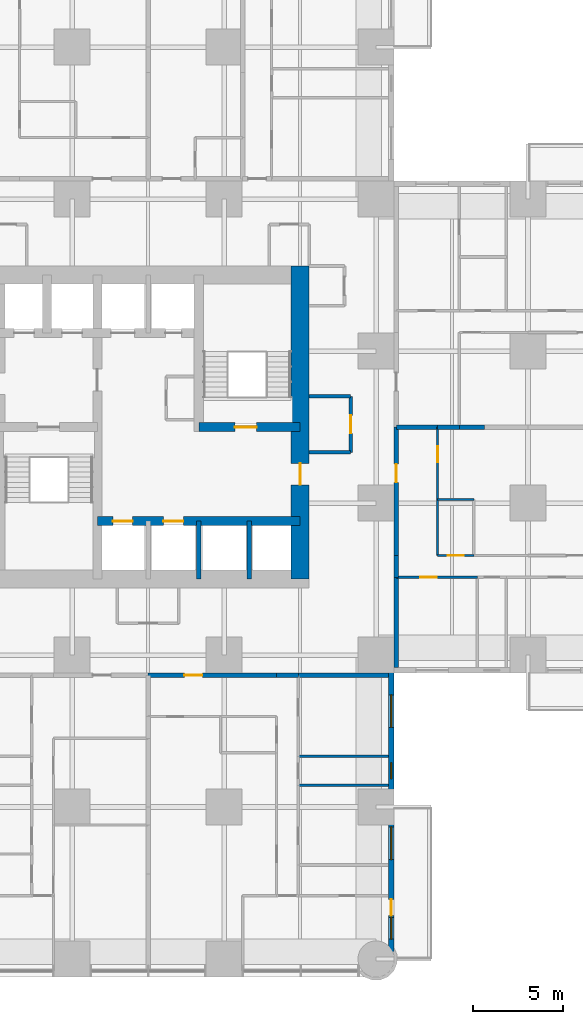
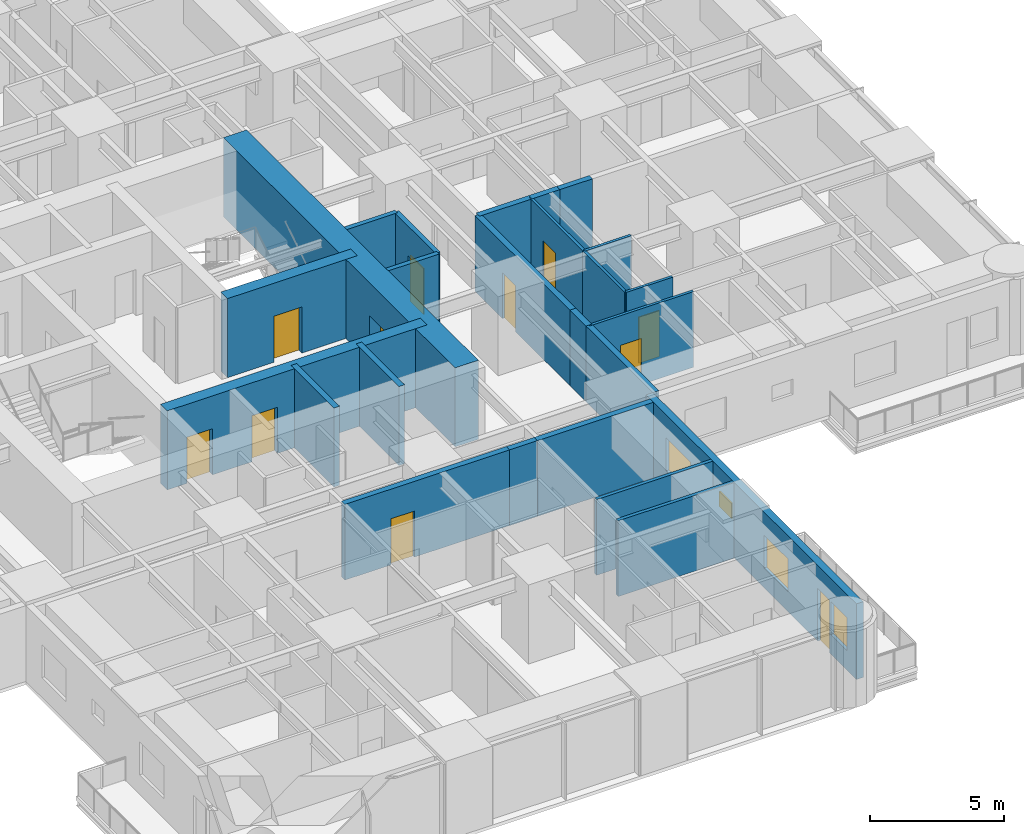
# One storey, part 10 of 17: 25 walls, 11 doors, 4 windows, 15 openings.
"""IFC4 building model written with IfcOpenShell, lengths in metres."""

from ifc_helpers import new_model, si_unit, direction, frame, frame_2d, origin, place, context, subcontext, project, spatial, rectangle, extrude, material, layer, layer_set, type_object, element, fill, save


model = new_model("IFC4")

# Units and contexts
model_context = context("Model", 3, precision=1e-05, world=origin(), true_north=direction((0.0, 1.0)))
body_context = subcontext(model_context, "Body", "Model", "MODEL_VIEW")
ifc_project = project(units=[si_unit("LENGTHUNIT", "METRE"), si_unit("AREAUNIT", "SQUARE_METRE"), si_unit("VOLUMEUNIT", "CUBIC_METRE"), si_unit("PLANEANGLEUNIT", "RADIAN"), si_unit("MASSUNIT", "GRAM", prefix="KILO")], contexts=[model_context])

# Site, building, storey
site_placement = place(None, origin())
site = spatial("IfcSite", under=ifc_project, at=site_placement, CompositionType="ELEMENT")
building_placement = place(site_placement, origin())
building = spatial("IfcBuilding", under=site, at=building_placement, Name="Torre Alcanfor", CompositionType="ELEMENT")
storey_placement = place(building_placement, frame((0.0, 0.0, 95.699951171875)))
storey = spatial("IfcBuildingStorey", under=building, at=storey_placement, Name="L24", CompositionType="ELEMENT", Elevation=95.699951171875)

# Wall, opening, door
ifc_material_1 = material(Name="Concrete block masonry, hollow blocks NMX-C-404 9 MPa", Category="masonry")
ifc_layer_1 = layer(ifc_material_1, 0.25)
ifc_layer_set_1 = layer_set([ifc_layer_1], Name="Apartment entrance wall 250 EI 60")
wall_type_1 = type_object("IfcWallType", Name="Apartment entrance wall 250 EI 60", PredefinedType="PARTITIONING", material=ifc_layer_set_1)
wall_1_placement = place(storey_placement, frame((43.125, 29.39990234375, 0.0), z_axis=(0.0, 0.0, 1.0), x_axis=(0.0, -1.0, 0.0)))
wall_1 = element("IfcWall", 1, at=wall_1_placement, inside=storey, type_object=wall_type_1, Name="Partition L24-CORR / L24-E2-ZAG", PredefinedType="PARTITIONING", context=body_context, shape_type="SweptSolid", body=[
    extrude(rectangle(XDim=7.099853515625, YDim=0.25, at=frame_2d((3.5498046875, 0.0))), origin(), (0.0, 0.0, 1.0), 3.449951171875),
])
opening_1_placement = place(wall_1_placement, frame((2.050048828125, 0.0, 0.0)))
opening_1 = element("IfcOpeningElement", 2, at=opening_1_placement, cuts=wall_1, Name="Opening D-A1", PredefinedType="OPENING", context=body_context, shape_type="SweptSolid", body=[
    extrude(rectangle(XDim=1.0, YDim=2.10009765625, at=frame_2d((0.5, 1.050048828125))), frame((0.0, 0.135009765625, 0.0), z_axis=(0.0, -1.0, 0.0), x_axis=(1.0, 0.0, 0.0)), (0.0, 0.0, 1.0), 0.27001953125),
])
ifc_material_2 = material(Name="Galvanised steel sheet ASTM A653", Category="steel")
door_type_1 = type_object("IfcDoorType", Name="Apartment entrance door FD60 1000x2100", OperationType="SINGLE_SWING_LEFT", PredefinedType="DOOR", material=ifc_material_2)
door_1_placement = place(opening_1_placement, origin())
door_1 = element("IfcDoor", 3, at=door_1_placement, inside=storey, type_object=door_type_1, Name="Apartment entrance L24-E2", OperationType="SINGLE_SWING_LEFT", OverallHeight=2.10009765625, OverallWidth=1.0, PredefinedType="DOOR", context=body_context, shape_type="SweptSolid", body=[
    extrude(rectangle(XDim=1.0, YDim=2.10009765625, at=frame_2d((0.5, 1.050048828125))), frame((0.0, 0.02490234375, 0.0), z_axis=(0.0, -1.0, 0.0), x_axis=(1.0, 0.0, 0.0)), (0.0, 0.0, 1.0), 0.050048828125),
])
fill(opening_1, door_1)

# Walls
wall_2_placement = place(storey_placement, frame((43.125, 22.300048828125, 0.0), z_axis=(0.0, 0.0, 1.0), x_axis=(0.0, -1.0, 0.0)))
element("IfcWall", 4, at=wall_2_placement, inside=storey, type_object=wall_type_1, Name="Partition L24-CORR / L24-E2-HALL", PredefinedType="PARTITIONING", context=body_context, shape_type="SweptSolid", body=[
    extrude(rectangle(XDim=1.199951171875, YDim=0.25, at=frame_2d((0.60009765625, 0.0))), origin(), (0.0, 0.0, 1.0), 3.449951171875),
])
wall_3_placement = place(storey_placement, frame((43.125, 21.10009765625, 0.0), z_axis=(0.0, 0.0, 1.0), x_axis=(0.0, -1.0, 0.0)))
element("IfcWall", 5, at=wall_3_placement, inside=storey, type_object=wall_type_1, Name="Partition L24-CORR / L24-E2-BED3", PredefinedType="PARTITIONING", context=body_context, shape_type="SweptSolid", body=[
    extrude(rectangle(XDim=5.0, YDim=0.25, at=frame_2d((2.5, 0.0))), origin(), (0.0, 0.0, 1.0), 3.449951171875),
])

# Wall, opening, door
wall_4_placement = place(storey_placement, frame((36.5, 15.675048828125, 0.0), z_axis=(0.0, 0.0, 1.0), x_axis=(-1.0, 0.0, 0.0)))
wall_4 = element("IfcWall", 6, at=wall_4_placement, inside=storey, type_object=wall_type_1, Name="Partition L24-CORR / L24-S1-ZAG", PredefinedType="PARTITIONING", context=body_context, shape_type="SweptSolid", body=[
    extrude(rectangle(XDim=7.10009765625, YDim=0.25, at=frame_2d((3.550048828125, 0.0))), origin(), (0.0, 0.0, 1.0), 3.449951171875),
])
opening_2_placement = place(wall_4_placement, frame((4.10009765625, 0.0, 0.0)))
opening_2 = element("IfcOpeningElement", 7, at=opening_2_placement, cuts=wall_4, Name="Opening D-A1", PredefinedType="OPENING", context=body_context, shape_type="SweptSolid", body=[
    extrude(rectangle(XDim=1.0, YDim=2.10009765625, at=frame_2d((0.5, 1.050048828125))), frame((0.0, 0.135009765625, 0.0), z_axis=(0.0, -1.0, 0.0), x_axis=(1.0, 0.0, 0.0)), (0.0, 0.0, 1.0), 0.27001953125),
])
door_2_placement = place(opening_2_placement, origin())
door_2 = element("IfcDoor", 8, at=door_2_placement, inside=storey, type_object=door_type_1, Name="Apartment entrance L24-S1", OperationType="SINGLE_SWING_RIGHT", OverallHeight=2.10009765625, OverallWidth=1.0, PredefinedType="DOOR", context=body_context, shape_type="SweptSolid", body=[
    extrude(rectangle(XDim=1.0, YDim=2.10009765625, at=frame_2d((0.5, 1.050048828125))), frame((0.0, 0.02490234375, 0.0), z_axis=(0.0, -1.0, 0.0), x_axis=(1.0, 0.0, 0.0)), (0.0, 0.0, 1.0), 0.050048828125),
])
fill(opening_2, door_2)

# Walls
wall_5_placement = place(storey_placement, frame((37.699951171875, 15.675048828125, 0.0), z_axis=(0.0, 0.0, 1.0), x_axis=(-1.0, 0.0, 0.0)))
element("IfcWall", 9, at=wall_5_placement, inside=storey, type_object=wall_type_1, Name="Partition L24-CORR / L24-S1-HALL", PredefinedType="PARTITIONING", context=body_context, shape_type="SweptSolid", body=[
    extrude(rectangle(XDim=1.199951171875, YDim=0.25, at=frame_2d((0.60009765625, 0.0))), origin(), (0.0, 0.0, 1.0), 3.449951171875),
])
wall_6_placement = place(storey_placement, frame((42.699951171875, 15.675048828125, 0.0), z_axis=(0.0, 0.0, 1.0), x_axis=(-1.0, 0.0, 0.0)))
element("IfcWall", 10, at=wall_6_placement, inside=storey, type_object=wall_type_1, Name="Partition L24-CORR / L24-S1-BED3", PredefinedType="PARTITIONING", context=body_context, shape_type="SweptSolid", body=[
    extrude(rectangle(XDim=5.0, YDim=0.25, at=frame_2d((2.5, 0.0))), origin(), (0.0, 0.0, 1.0), 3.449951171875),
])

# Wall, opening, door
ifc_material_3 = material(Name="Gypsum board on steel studs", Category="steel")
ifc_layer_2 = layer(ifc_material_3, 0.1201171875)
ifc_layer_set_2 = layer_set([ifc_layer_2], Name="Apartment partition 120")
wall_type_2 = type_object("IfcWallType", Name="Apartment partition 120", PredefinedType="PARTITIONING", material=ifc_layer_set_2)
wall_7_placement = place(storey_placement, frame((45.39990234375, 29.39990234375, 0.0), z_axis=(0.0, 0.0, 1.0), x_axis=(0.0, -1.0, 0.0)))
wall_7 = element("IfcWall", 11, at=wall_7_placement, inside=storey, type_object=wall_type_2, Name="Partition L24-E2-ZAG / L24-E2-KITCHEN", PredefinedType="PARTITIONING", context=body_context, shape_type="SweptSolid", body=[
    extrude(rectangle(XDim=4.0, YDim=0.1201171875, at=frame_2d((2.0, 0.0))), origin(), (0.0, 0.0, 1.0), 3.449951171875),
])
opening_3_placement = place(wall_7_placement, frame((1.050048828125, 0.0, 0.0)))
opening_3 = element("IfcOpeningElement", 12, at=opening_3_placement, cuts=wall_7, Name="Opening D-R1", PredefinedType="OPENING", context=body_context, shape_type="SweptSolid", body=[
    extrude(rectangle(XDim=0.89990234375, YDim=2.10009765625, at=frame_2d((0.449951171875, 1.050048828125))), frame((0.0, 0.070068359375, 0.0), z_axis=(0.0, -1.0, 0.0), x_axis=(1.0, 0.0, 0.0)), (0.0, 0.0, 1.0), 0.14013671875),
])
ifc_material_4 = material(Name="Timber", Category="wood")
door_type_2 = type_object("IfcDoorType", Name="Internal door 900x2100", OperationType="SINGLE_SWING_LEFT", PredefinedType="DOOR", material=ifc_material_4)
door_3_placement = place(opening_3_placement, origin())
door_3 = element("IfcDoor", 13, at=door_3_placement, inside=storey, type_object=door_type_2, Name="Door L24-E2 kitchen", OperationType="SINGLE_SWING_LEFT", OverallHeight=2.10009765625, OverallWidth=0.89990234375, PredefinedType="DOOR", context=body_context, shape_type="SweptSolid", body=[
    extrude(rectangle(XDim=0.89990234375, YDim=2.10009765625, at=frame_2d((0.449951171875, 1.050048828125))), frame((0.0, 0.02490234375, 0.0), z_axis=(0.0, -1.0, 0.0), x_axis=(1.0, 0.0, 0.0)), (0.0, 0.0, 1.0), 0.050048828125),
])
fill(opening_3, door_3)

# Walls
wall_8_placement = place(storey_placement, frame((45.39990234375, 25.39990234375, 0.0), z_axis=(0.0, 0.0, 1.0), x_axis=(0.0, -1.0, 0.0)))
element("IfcWall", 14, at=wall_8_placement, inside=storey, type_object=wall_type_2, Name="Partition L24-E2-ZAG / L24-E2-UTIL", PredefinedType="PARTITIONING", context=body_context, shape_type="SweptSolid", body=[
    extrude(rectangle(XDim=3.099853515625, YDim=0.1201171875, at=frame_2d((1.5498046875, 0.0))), origin(), (0.0, 0.0, 1.0), 3.449951171875),
])
wall_9_placement = place(storey_placement, frame((47.39990234375, 25.39990234375, 0.0), z_axis=(0.0, 0.0, 1.0), x_axis=(-1.0, 0.0, 0.0)))
element("IfcWall", 15, at=wall_9_placement, inside=storey, type_object=wall_type_2, Name="Partition L24-E2-KITCHEN / L24-E2-UTIL", PredefinedType="PARTITIONING", context=body_context, shape_type="SweptSolid", body=[
    extrude(rectangle(XDim=2.0, YDim=0.1201171875, at=frame_2d((1.0, 0.0))), origin(), (0.0, 0.0, 1.0), 3.449951171875),
])

# Wall, opening, door
wall_10_placement = place(storey_placement, frame((47.39990234375, 22.300048828125, 0.0), z_axis=(0.0, 0.0, 1.0), x_axis=(-1.0, 0.0, 0.0)))
wall_10 = element("IfcWall", 16, at=wall_10_placement, inside=storey, type_object=wall_type_2, Name="Partition L24-E2-UTIL / L24-E2-HALL", PredefinedType="PARTITIONING", context=body_context, shape_type="SweptSolid", body=[
    extrude(rectangle(XDim=2.0, YDim=0.1201171875, at=frame_2d((1.0, 0.0))), origin(), (0.0, 0.0, 1.0), 3.449951171875),
])
opening_4_placement = place(wall_10_placement, frame((0.550048828125, 0.0, 0.0)))
opening_4 = element("IfcOpeningElement", 17, at=opening_4_placement, cuts=wall_10, Name="Opening D-R1", PredefinedType="OPENING", context=body_context, shape_type="SweptSolid", body=[
    extrude(rectangle(XDim=0.89990234375, YDim=2.10009765625, at=frame_2d((0.449951171875, 1.050048828125))), frame((0.0, 0.070068359375, 0.0), z_axis=(0.0, -1.0, 0.0), x_axis=(1.0, 0.0, 0.0)), (0.0, 0.0, 1.0), 0.14013671875),
])
door_4_placement = place(opening_4_placement, frame((0.89990234375, 0.0, 0.0), z_axis=(0.0, 0.0, 1.0), x_axis=(-1.0, 0.0, 0.0)))
door_4 = element("IfcDoor", 18, at=door_4_placement, inside=storey, type_object=door_type_2, Name="Door L24-E2 util", OperationType="SINGLE_SWING_RIGHT", OverallHeight=2.10009765625, OverallWidth=0.89990234375, PredefinedType="DOOR", context=body_context, shape_type="SweptSolid", body=[
    extrude(rectangle(XDim=0.89990234375, YDim=2.10009765625, at=frame_2d((0.449951171875, 1.050048828125))), frame((0.0, 0.025146484375, 0.0), z_axis=(0.0, -1.0, 0.0), x_axis=(1.0, 0.0, 0.0)), (0.0, 0.0, 1.0), 0.050048828125),
])
fill(opening_4, door_4)

wall_11_placement = place(storey_placement, frame((47.60009765625, 21.10009765625, 0.0), z_axis=(0.0, 0.0, 1.0), x_axis=(-1.0, 0.0, 0.0)))
wall_11 = element("IfcWall", 19, at=wall_11_placement, inside=storey, type_object=wall_type_2, Name="Partition L24-E2-HALL / L24-E2-BED3", PredefinedType="PARTITIONING", context=body_context, shape_type="SweptSolid", body=[
    extrude(rectangle(XDim=4.47509765625, YDim=0.1201171875, at=frame_2d((2.237548828125, 0.0))), origin(), (0.0, 0.0, 1.0), 3.449951171875),
])
opening_5_placement = place(wall_11_placement, frame((2.25, 0.0, 0.0)))
opening_5 = element("IfcOpeningElement", 20, at=opening_5_placement, cuts=wall_11, Name="Opening D-R1", PredefinedType="OPENING", context=body_context, shape_type="SweptSolid", body=[
    extrude(rectangle(XDim=0.89990234375, YDim=2.10009765625, at=frame_2d((0.449951171875, 1.050048828125))), frame((0.0, 0.070068359375, 0.0), z_axis=(0.0, -1.0, 0.0), x_axis=(1.0, 0.0, 0.0)), (0.0, 0.0, 1.0), 0.14013671875),
])
door_5_placement = place(opening_5_placement, origin())
door_5 = element("IfcDoor", 21, at=door_5_placement, inside=storey, type_object=door_type_2, Name="Door L24-E2 bed3", OperationType="SINGLE_SWING_RIGHT", OverallHeight=2.10009765625, OverallWidth=0.89990234375, PredefinedType="DOOR", context=body_context, shape_type="SweptSolid", body=[
    extrude(rectangle(XDim=0.89990234375, YDim=2.10009765625, at=frame_2d((0.449951171875, 1.050048828125))), frame((0.0, 0.02490234375, 0.0), z_axis=(0.0, -1.0, 0.0), x_axis=(1.0, 0.0, 0.0)), (0.0, 0.0, 1.0), 0.050048828125),
])
fill(opening_5, door_5)

# Wall, openings, doors
ifc_material_5 = material(Name="Concrete f'c 70 MPa", Category="concrete")
ifc_layer_3 = layer(ifc_material_5, 0.5)
ifc_layer_set_3 = layer_set([ifc_layer_3], Name="Core inner wall 500 f'c70")
wall_type_3 = type_object("IfcWallType", Name="Core inner wall 500 f'c70", PredefinedType="SHEAR", material=ifc_layer_set_3)
wall_12_placement = place(storey_placement, frame((26.60009765625, 24.199951171875, 0.0), z_axis=(0.0, 0.0, 1.0), x_axis=(1.0, 0.0, 0.0)))
wall_12 = element("IfcWall", 22, at=wall_12_placement, inside=storey, type_object=wall_type_3, Name="Core wall Y242 L24", PredefinedType="SHEAR", context=body_context, shape_type="SweptSolid", body=[
    extrude(rectangle(XDim=11.199951171875, YDim=0.5, at=frame_2d((5.60009765625, 0.0))), origin(), (0.0, 0.0, 1.0), 3.60009765625),
])
opening_6_placement = place(wall_12_placement, frame((0.85009765625, 0.0, 0.0)))
opening_6 = element("IfcOpeningElement", 23, at=opening_6_placement, cuts=wall_12, Name="Opening LD1", PredefinedType="OPENING", context=body_context, shape_type="SweptSolid", body=[
    extrude(rectangle(XDim=1.10009765625, YDim=2.10009765625, at=frame_2d((0.550048828125, 1.050048828125))), frame((0.0, 0.260009765625, 0.0), z_axis=(0.0, -1.0, 0.0), x_axis=(1.0, 0.0, 0.0)), (0.0, 0.0, 1.0), 0.52001953125),
])
opening_7_placement = place(wall_12_placement, frame((3.64990234375, 0.0, 0.0)))
opening_7 = element("IfcOpeningElement", 24, at=opening_7_placement, cuts=wall_12, Name="Opening LD1", PredefinedType="OPENING", context=body_context, shape_type="SweptSolid", body=[
    extrude(rectangle(XDim=1.10009765625, YDim=2.10009765625, at=frame_2d((0.550048828125, 1.050048828125))), frame((0.0, 0.260009765625, 0.0), z_axis=(0.0, -1.0, 0.0), x_axis=(1.0, 0.0, 0.0)), (0.0, 0.0, 1.0), 0.52001953125),
])
ifc_material_6 = material(Name="Galvanised steel sheet ASTM A653", Category="steel")
door_type_3 = type_object("IfcDoorType", Name="Lift landing door 1100x2100", OperationType="DOUBLE_DOOR_SLIDING", PredefinedType="DOOR", material=ifc_material_6)
door_6_placement = place(opening_6_placement, origin())
door_6 = element("IfcDoor", 25, at=door_6_placement, inside=storey, type_object=door_type_3, Name="Lift landing door PA1 L24", OperationType="DOUBLE_DOOR_SLIDING", OverallHeight=2.10009765625, OverallWidth=1.10009765625, PredefinedType="DOOR", context=body_context, shape_type="SweptSolid", body=[
    extrude(rectangle(XDim=1.10009765625, YDim=2.10009765625, at=frame_2d((0.550048828125, 1.050048828125))), frame((0.0, 0.02490234375, 0.0), z_axis=(0.0, -1.0, 0.0), x_axis=(1.0, 0.0, 0.0)), (0.0, 0.0, 1.0), 0.050048828125),
])
fill(opening_6, door_6)
door_7_placement = place(opening_7_placement, origin())
door_7 = element("IfcDoor", 26, at=door_7_placement, inside=storey, type_object=door_type_3, Name="Lift landing door PA2 L24", OperationType="DOUBLE_DOOR_SLIDING", OverallHeight=2.10009765625, OverallWidth=1.10009765625, PredefinedType="DOOR", context=body_context, shape_type="SweptSolid", body=[
    extrude(rectangle(XDim=1.10009765625, YDim=2.10009765625, at=frame_2d((0.550048828125, 1.050048828125))), frame((0.0, 0.02490234375, 0.0), z_axis=(0.0, -1.0, 0.0), x_axis=(1.0, 0.0, 0.0)), (0.0, 0.0, 1.0), 0.050048828125),
])
fill(opening_7, door_7)

# Wall, opening, door
wall_13_placement = place(storey_placement, frame((32.199951171875, 29.39990234375, 0.0), z_axis=(0.0, 0.0, 1.0), x_axis=(1.0, 0.0, 0.0)))
wall_13 = element("IfcWall", 27, at=wall_13_placement, inside=storey, type_object=wall_type_3, Name="Core wall Y294E L24", PredefinedType="SHEAR", context=body_context, shape_type="SweptSolid", body=[
    extrude(rectangle(XDim=5.60009765625, YDim=0.5, at=frame_2d((2.800048828125, 0.0))), origin(), (0.0, 0.0, 1.0), 3.60009765625),
])
opening_8_placement = place(wall_13_placement, frame((2.0, 0.0, 0.0)))
opening_8 = element("IfcOpeningElement", 28, at=opening_8_placement, cuts=wall_13, Name="Opening D-S2", PredefinedType="OPENING", context=body_context, shape_type="SweptSolid", body=[
    extrude(rectangle(XDim=1.199951171875, YDim=2.10009765625, at=frame_2d((0.60009765625, 1.050048828125))), frame((0.0, 0.260009765625, 0.0), z_axis=(0.0, -1.0, 0.0), x_axis=(1.0, 0.0, 0.0)), (0.0, 0.0, 1.0), 0.52001953125),
])
ifc_material_7 = material(Name="Galvanised steel sheet ASTM A653", Category="steel")
door_type_4 = type_object("IfcDoorType", Name="Stair enclosure door FD120 1200x2100", OperationType="SINGLE_SWING_LEFT", PredefinedType="DOOR", material=ifc_material_7)
door_8_placement = place(opening_8_placement, origin())
door_8 = element("IfcDoor", 29, at=door_8_placement, inside=storey, type_object=door_type_4, Name="Stair S2 door L24", OperationType="SINGLE_SWING_LEFT", OverallHeight=2.10009765625, OverallWidth=1.199951171875, PredefinedType="DOOR", context=body_context, shape_type="SweptSolid", body=[
    extrude(rectangle(XDim=1.199951171875, YDim=2.10009765625, at=frame_2d((0.60009765625, 1.050048828125))), frame((0.0, 0.02490234375, 0.0), z_axis=(0.0, -1.0, 0.0), x_axis=(1.0, 0.0, 0.0)), (0.0, 0.0, 1.0), 0.050048828125),
])
fill(opening_8, door_8)

# Walls
ifc_material_8 = material(Name="Concrete f'c 70 MPa", Category="concrete")
ifc_layer_4 = layer(ifc_material_8, 0.25)
ifc_layer_set_4 = layer_set([ifc_layer_4], Name="Core shaft wall 250 f'c70")
wall_type_4 = type_object("IfcWallType", Name="Core shaft wall 250 f'c70", PredefinedType="SHEAR", material=ifc_layer_set_4)
for number, where, z_axis, x_axis, name in (
    (30, (32.199951171875, 21.0, 0.0), (0.0, 0.0, 1.0), (0.0, 1.0, 0.0), "Core wall X322S L24"),
    (31, (35.0, 21.0, 0.0), (0.0, 0.0, 1.0), (0.0, 1.0, 0.0), "Core wall X350S L24"),
):
    element("IfcWall", number, at=place(storey_placement, frame(where, z_axis=z_axis, x_axis=x_axis)), inside=storey, type_object=wall_type_4, Name=name, PredefinedType="SHEAR", context=body_context, shape_type="SweptSolid", body=[
        extrude(rectangle(XDim=3.199951171875, YDim=0.25, at=frame_2d((1.60009765625, 0.0))), origin(), (0.0, 0.0, 1.0), 3.60009765625),
    ])

# Wall, opening, door
ifc_material_9 = material(Name="Concrete f'c 70 MPa", Category="concrete")
ifc_layer_5 = layer(ifc_material_9, 1.0)
ifc_layer_set_5 = layer_set([ifc_layer_5], Name="Core wall 1000 f'c70")
wall_type_5 = type_object("IfcWallType", Name="Core wall 1000 f'c70", PredefinedType="SHEAR", material=ifc_layer_set_5)
wall_14_placement = place(storey_placement, frame((37.800048828125, 21.0, 0.0), z_axis=(0.0, 0.0, 1.0), x_axis=(0.0, 1.0, 0.0)))
wall_14 = element("IfcWall", 32, at=wall_14_placement, inside=storey, type_object=wall_type_5, Name="Core wall OUT-E L24", PredefinedType="SHEAR", context=body_context, shape_type="SweptSolid", body=[
    extrude(rectangle(XDim=17.300048828125, YDim=1.0, at=frame_2d((8.64990234375, 0.0))), origin(), (0.0, 0.0, 1.0), 3.60009765625),
])
opening_9_placement = place(wall_14_placement, frame((5.199951171875, 0.0, 0.0)))
opening_9 = element("IfcOpeningElement", 33, at=opening_9_placement, cuts=wall_14, Name="Opening D-L1", PredefinedType="OPENING", context=body_context, shape_type="SweptSolid", body=[
    extrude(rectangle(XDim=1.199951171875, YDim=2.10009765625, at=frame_2d((0.60009765625, 1.050048828125))), frame((0.0, 0.510009765625, 0.0), z_axis=(0.0, -1.0, 0.0), x_axis=(1.0, 0.0, 0.0)), (0.0, 0.0, 1.0), 1.02001953125),
])
ifc_material_10 = material(Name="Galvanised steel sheet ASTM A653", Category="steel")
door_type_5 = type_object("IfcDoorType", Name="Lobby door FD120 1200x2100", OperationType="SINGLE_SWING_LEFT", PredefinedType="DOOR", material=ifc_material_10)
door_9_placement = place(opening_9_placement, origin())
door_9 = element("IfcDoor", 34, at=door_9_placement, inside=storey, type_object=door_type_5, Name="Lift lobby entrance door L24", OperationType="SINGLE_SWING_LEFT", OverallHeight=2.10009765625, OverallWidth=1.199951171875, PredefinedType="DOOR", context=body_context, shape_type="SweptSolid", body=[
    extrude(rectangle(XDim=1.199951171875, YDim=2.10009765625, at=frame_2d((0.60009765625, 1.050048828125))), frame((0.0, 0.02490234375, 0.0), z_axis=(0.0, -1.0, 0.0), x_axis=(1.0, 0.0, 0.0)), (0.0, 0.0, 1.0), 0.050048828125),
])
fill(opening_9, door_9)

# Wall, openings, door, windows
ifc_material_11 = material(Name="Limestone cladding", Category="masonry")
ifc_layer_6 = layer(ifc_material_11, 0.0400390625, Name="Facing")
ifc_material_12 = material(Name="Ventilated air cavity")
ifc_layer_7 = layer(ifc_material_12, 0.02001953125, ventilated=True, Name="Ventilated joint")
ifc_material_13 = material(Name="Mineral wool insulation", Category="insulation")
ifc_layer_8 = layer(ifc_material_13, 0.10009765625, Name="Insulation")
ifc_material_14 = material(Name="Concrete f'c 35 MPa", Category="concrete")
ifc_layer_9 = layer(ifc_material_14, 0.139892578125, Name="Backing")
ifc_layer_set_6 = layer_set([ifc_layer_6, ifc_layer_7, ifc_layer_8, ifc_layer_9], Name="External wall stone-clad 300")
wall_type_6 = type_object("IfcWallType", Name="External wall stone-clad 300", PredefinedType="SOLIDWALL", material=ifc_layer_set_6)
wall_15_placement = place(storey_placement, frame((42.85009765625, 0.39990234375, 0.0), z_axis=(0.0, 0.0, 1.0), x_axis=(0.0, 1.0, 0.0)))
wall_15 = element("IfcWall", 35, at=wall_15_placement, inside=storey, type_object=wall_type_6, Name="External wall L24 6", PredefinedType="SOLIDWALL", context=body_context, shape_type="SweptSolid", body=[
    extrude(rectangle(XDim=15.7001953125, YDim=0.300048828125, at=frame_2d((7.85009765625, 0.0))), origin(), (0.0, 0.0, 1.0), 3.449951171875),
])
opening_10_placement = place(wall_15_placement, frame((12.39990234375, 0.0, 0.89990234375)))
opening_10 = element("IfcOpeningElement", 36, at=opening_10_placement, cuts=wall_15, Name="Opening W2", PredefinedType="OPENING", context=body_context, shape_type="SweptSolid", body=[
    extrude(rectangle(XDim=1.800048828125, YDim=1.5, at=frame_2d((0.89990234375, 0.75))), frame((0.0, 0.159912109375, 0.0), z_axis=(0.0, -1.0, 0.0), x_axis=(1.0, 0.0, 0.0)), (0.0, 0.0, 1.0), 0.320068359375),
])
opening_11_placement = place(wall_15_placement, frame((9.550048828125, 0.0, 1.5)))
opening_11 = element("IfcOpeningElement", 37, at=opening_11_placement, cuts=wall_15, Name="Opening W3", PredefinedType="OPENING", context=body_context, shape_type="SweptSolid", body=[
    extrude(rectangle(XDim=0.89990234375, YDim=0.699951171875, at=frame_2d((0.449951171875, 0.35009765625))), frame((0.0, 0.159912109375, 0.0), z_axis=(0.0, -1.0, 0.0), x_axis=(1.0, 0.0, 0.0)), (0.0, 0.0, 1.0), 0.320068359375),
])
opening_12_placement = place(wall_15_placement, frame((5.10009765625, 0.0, 0.89990234375)))
opening_12 = element("IfcOpeningElement", 38, at=opening_12_placement, cuts=wall_15, Name="Opening W2", PredefinedType="OPENING", context=body_context, shape_type="SweptSolid", body=[
    extrude(rectangle(XDim=1.800048828125, YDim=1.5, at=frame_2d((0.89990234375, 0.75))), frame((0.0, 0.159912109375, 0.0), z_axis=(0.0, -1.0, 0.0), x_axis=(1.0, 0.0, 0.0)), (0.0, 0.0, 1.0), 0.320068359375),
])
opening_13_placement = place(wall_15_placement, frame((2.0, 0.0, 0.0)))
opening_13 = element("IfcOpeningElement", 39, at=opening_13_placement, cuts=wall_15, Name="Opening D-B1", PredefinedType="OPENING", context=body_context, shape_type="SweptSolid", body=[
    extrude(rectangle(XDim=0.89990234375, YDim=2.39990234375, at=frame_2d((0.449951171875, 1.199951171875))), frame((0.0, 0.159912109375, 0.0), z_axis=(0.0, -1.0, 0.0), x_axis=(1.0, 0.0, 0.0)), (0.0, 0.0, 1.0), 0.320068359375),
])
opening_14_placement = place(wall_15_placement, frame((0.699951171875, 0.0, 0.89990234375)))
opening_14 = element("IfcOpeningElement", 40, at=opening_14_placement, cuts=wall_15, Name="Opening W4", PredefinedType="OPENING", context=body_context, shape_type="SweptSolid", body=[
    extrude(rectangle(XDim=1.199951171875, YDim=1.5, at=frame_2d((0.60009765625, 0.75))), frame((0.0, 0.159912109375, 0.0), z_axis=(0.0, -1.0, 0.0), x_axis=(1.0, 0.0, 0.0)), (0.0, 0.0, 1.0), 0.320068359375),
])
ifc_material_15 = material(Name="Aluminium and glass", Category="aluminium")
door_type_6 = type_object("IfcDoorType", Name="Balcony door glazed 900x2400", OperationType="SINGLE_SWING_LEFT", PredefinedType="DOOR", material=ifc_material_15)
door_10_placement = place(opening_13_placement, origin())
door_10 = element("IfcDoor", 41, at=door_10_placement, inside=storey, type_object=door_type_6, Name="Balcony door L24-S1", OperationType="SINGLE_SWING_RIGHT", OverallHeight=2.39990234375, OverallWidth=0.89990234375, PredefinedType="DOOR", context=body_context, shape_type="SweptSolid", body=[
    extrude(rectangle(XDim=0.89990234375, YDim=2.39990234375, at=frame_2d((0.449951171875, 1.199951171875))), frame((0.0, 0.02490234375, 0.0), z_axis=(0.0, -1.0, 0.0), x_axis=(1.0, 0.0, 0.0)), (0.0, 0.0, 1.0), 0.050048828125),
])
fill(opening_13, door_10)
ifc_material_16 = material(Name="Aluminium frame with clear double glazing", Category="aluminium")
window_type_1 = type_object("IfcWindowType", Name="Window bathroom 900x700", PartitioningType="SINGLE_PANEL", PredefinedType="WINDOW", material=ifc_material_16)
window_1_placement = place(opening_11_placement, origin())
window_1 = element("IfcWindow", 42, at=window_1_placement, inside=storey, type_object=window_type_1, Name="Window W3 L24-S1", OverallHeight=0.699951171875, OverallWidth=0.89990234375, PartitioningType="SINGLE_PANEL", PredefinedType="WINDOW", context=body_context, shape_type="SweptSolid", body=[
    extrude(rectangle(XDim=0.89990234375, YDim=0.699951171875, at=frame_2d((0.449951171875, 0.35009765625))), frame((0.0, 0.030029296875, 0.0), z_axis=(0.0, -1.0, 0.0), x_axis=(1.0, 0.0, 0.0)), (0.0, 0.0, 1.0), 0.06005859375),
])
fill(opening_11, window_1)
ifc_material_17 = material(Name="Aluminium frame with clear double glazing", Category="aluminium")
window_type_2 = type_object("IfcWindowType", Name="Window bedroom 1200x1500", PartitioningType="SINGLE_PANEL", PredefinedType="WINDOW", material=ifc_material_17)
window_2_placement = place(opening_14_placement, origin())
window_2 = element("IfcWindow", 43, at=window_2_placement, inside=storey, type_object=window_type_2, Name="Window W4 L24-S1", OverallHeight=1.5, OverallWidth=1.199951171875, PartitioningType="SINGLE_PANEL", PredefinedType="WINDOW", context=body_context, shape_type="SweptSolid", body=[
    extrude(rectangle(XDim=1.199951171875, YDim=1.5, at=frame_2d((0.60009765625, 0.75))), frame((0.0, 0.030029296875, 0.0), z_axis=(0.0, -1.0, 0.0), x_axis=(1.0, 0.0, 0.0)), (0.0, 0.0, 1.0), 0.06005859375),
])
fill(opening_14, window_2)
ifc_material_18 = material(Name="Aluminium frame with clear double glazing", Category="aluminium")
window_type_3 = type_object("IfcWindowType", Name="Window bedroom 1800x1500", PartitioningType="SINGLE_PANEL", PredefinedType="WINDOW", material=ifc_material_18)
window_3_placement = place(opening_10_placement, origin())
window_3 = element("IfcWindow", 44, at=window_3_placement, inside=storey, type_object=window_type_3, Name="Window W2 L24-S1", OverallHeight=1.5, OverallWidth=1.800048828125, PartitioningType="SINGLE_PANEL", PredefinedType="WINDOW", context=body_context, shape_type="SweptSolid", body=[
    extrude(rectangle(XDim=1.800048828125, YDim=1.5, at=frame_2d((0.89990234375, 0.75))), frame((0.0, 0.030029296875, 0.0), z_axis=(0.0, -1.0, 0.0), x_axis=(1.0, 0.0, 0.0)), (0.0, 0.0, 1.0), 0.06005859375),
])
fill(opening_10, window_3)
window_4_placement = place(opening_12_placement, origin())
window_4 = element("IfcWindow", 45, at=window_4_placement, inside=storey, type_object=window_type_3, Name="Window W2 L24-S1", OverallHeight=1.5, OverallWidth=1.800048828125, PartitioningType="SINGLE_PANEL", PredefinedType="WINDOW", context=body_context, shape_type="SweptSolid", body=[
    extrude(rectangle(XDim=1.800048828125, YDim=1.5, at=frame_2d((0.89990234375, 0.75))), frame((0.0, 0.030029296875, 0.0), z_axis=(0.0, -1.0, 0.0), x_axis=(1.0, 0.0, 0.0)), (0.0, 0.0, 1.0), 0.06005859375),
])
fill(opening_12, window_4)

# Walls
ifc_material_19 = material(Name="Concrete block masonry, hollow blocks NMX-C-404 9 MPa", Category="masonry")
ifc_layer_10 = layer(ifc_material_19, 0.25)
ifc_layer_set_7 = layer_set([ifc_layer_10], Name="Party wall 250 EI 60")
wall_type_7 = type_object("IfcWallType", Name="Party wall 250 EI 60", PredefinedType="PARTITIONING", material=ifc_layer_set_7)
wall_16_placement = place(storey_placement, frame((43.125, 29.39990234375, 0.0), z_axis=(0.0, 0.0, 1.0), x_axis=(1.0, 0.0, 0.0)))
element("IfcWall", 46, at=wall_16_placement, inside=storey, type_object=wall_type_7, Name="Partition L24-E1-ZAG / L24-E2-ZAG", PredefinedType="PARTITIONING", context=body_context, shape_type="SweptSolid", body=[
    extrude(rectangle(XDim=2.27490234375, YDim=0.25, at=frame_2d((1.137451171875, 0.0))), origin(), (0.0, 0.0, 1.0), 3.449951171875),
])
wall_17_placement = place(storey_placement, frame((45.39990234375, 29.39990234375, 0.0), z_axis=(0.0, 0.0, 1.0), x_axis=(1.0, 0.0, 0.0)))
element("IfcWall", 47, at=wall_17_placement, inside=storey, type_object=wall_type_7, Name="Partition L24-E1-ZAG / L24-E2-KITCHEN", PredefinedType="PARTITIONING", context=body_context, shape_type="SweptSolid", body=[
    extrude(rectangle(XDim=1.2001953125, YDim=0.25, at=frame_2d((0.60009765625, 0.0))), origin(), (0.0, 0.0, 1.0), 3.449951171875),
])
wall_18_placement = place(storey_placement, frame((46.60009765625, 29.39990234375, 0.0), z_axis=(0.0, 0.0, 1.0), x_axis=(1.0, 0.0, 0.0)))
element("IfcWall", 48, at=wall_18_placement, inside=storey, type_object=wall_type_7, Name="Partition L24-E1-LAUND / L24-E2-KITCHEN", PredefinedType="PARTITIONING", context=body_context, shape_type="SweptSolid", body=[
    extrude(rectangle(XDim=1.39990234375, YDim=0.25, at=frame_2d((0.699951171875, 0.0))), origin(), (0.0, 0.0, 1.0), 3.449951171875),
])
ifc_material_20 = material(Name="Concrete block masonry, hollow blocks NMX-C-404 9 MPa", Category="masonry")
ifc_layer_11 = layer(ifc_material_20, 0.199951171875)
ifc_layer_set_8 = layer_set([ifc_layer_11], Name="Plant room wall 200 EI 60")
wall_type_8 = type_object("IfcWallType", Name="Plant room wall 200 EI 60", PredefinedType="PARTITIONING", material=ifc_layer_set_8)
wall_19_placement = place(storey_placement, frame((38.300048828125, 28.0, 0.0), z_axis=(0.0, 0.0, 1.0), x_axis=(1.0, 0.0, 0.0)))
element("IfcWall", 49, at=wall_19_placement, inside=storey, type_object=wall_type_8, Name="Partition L24-CORR / L24-G03", PredefinedType="PARTITIONING", context=body_context, shape_type="SweptSolid", body=[
    extrude(rectangle(XDim=2.300048828125, YDim=0.199951171875, at=frame_2d((1.14990234375, 0.0))), origin(), (0.0, 0.0, 1.0), 3.449951171875),
])

# Wall, opening, door
wall_20_placement = place(storey_placement, frame((40.60009765625, 28.0, 0.0), z_axis=(0.0, 0.0, 1.0), x_axis=(0.0, 1.0, 0.0)))
wall_20 = element("IfcWall", 50, at=wall_20_placement, inside=storey, type_object=wall_type_8, Name="Partition L24-CORR / L24-G03", PredefinedType="PARTITIONING", context=body_context, shape_type="SweptSolid", body=[
    extrude(rectangle(XDim=3.10009765625, YDim=0.199951171875, at=frame_2d((1.550048828125, 0.0))), origin(), (0.0, 0.0, 1.0), 3.449951171875),
])
opening_15_placement = place(wall_20_placement, frame((1.050048828125, 0.0, 0.0)))
opening_15 = element("IfcOpeningElement", 51, at=opening_15_placement, cuts=wall_20, Name="Opening D-K1", PredefinedType="OPENING", context=body_context, shape_type="SweptSolid", body=[
    extrude(rectangle(XDim=1.0, YDim=2.10009765625, at=frame_2d((0.5, 1.050048828125))), frame((0.0, 0.10986328125, 0.0), z_axis=(0.0, -1.0, 0.0), x_axis=(1.0, 0.0, 0.0)), (0.0, 0.0, 1.0), 0.219970703125),
])
ifc_material_21 = material(Name="Galvanised steel sheet ASTM A653", Category="steel")
door_type_7 = type_object("IfcDoorType", Name="Core room door FD60 1000x2100", OperationType="SINGLE_SWING_LEFT", PredefinedType="DOOR", material=ifc_material_21)
door_11_placement = place(opening_15_placement, origin())
door_11 = element("IfcDoor", 52, at=door_11_placement, inside=storey, type_object=door_type_7, Name="Door L24-G03 refuse and recycling store", OperationType="SINGLE_SWING_LEFT", OverallHeight=2.10009765625, OverallWidth=1.0, PredefinedType="DOOR", context=body_context, shape_type="SweptSolid", body=[
    extrude(rectangle(XDim=1.0, YDim=2.10009765625, at=frame_2d((0.5, 1.050048828125))), frame((0.0, 0.02490234375, 0.0), z_axis=(0.0, -1.0, 0.0), x_axis=(1.0, 0.0, 0.0)), (0.0, 0.0, 1.0), 0.050048828125),
])
fill(opening_15, door_11)

# Walls
wall_21_placement = place(storey_placement, frame((40.60009765625, 31.10009765625, 0.0), z_axis=(0.0, 0.0, 1.0), x_axis=(-1.0, 0.0, 0.0)))
element("IfcWall", 53, at=wall_21_placement, inside=storey, type_object=wall_type_8, Name="Partition L24-CORR / L24-G03", PredefinedType="PARTITIONING", context=body_context, shape_type="SweptSolid", body=[
    extrude(rectangle(XDim=2.300048828125, YDim=0.199951171875, at=frame_2d((1.14990234375, 0.0))), origin(), (0.0, 0.0, 1.0), 3.449951171875),
])
ifc_material_22 = material(Name="Cement board on steel studs", Category="steel")
ifc_layer_12 = layer(ifc_material_22, 0.14990234375)
ifc_layer_set_9 = layer_set([ifc_layer_12], Name="Wet area partition 150")
wall_type_9 = type_object("IfcWallType", Name="Wet area partition 150", PredefinedType="PARTITIONING", material=ifc_layer_set_9)
for number, where, z_axis, x_axis, name in (
    (54, (37.699951171875, 11.199951171875, 0.0), (0.0, 0.0, 1.0), (1.0, 0.0, 0.0), "Partition L24-S1-BED3 / L24-S1-BATH1"),
    (55, (37.699951171875, 9.60009765625, 0.0), (0.0, 0.0, 1.0), (1.0, 0.0, 0.0), "Partition L24-S1-BATH1 / L24-S1-BED2"),
):
    element("IfcWall", number, at=place(storey_placement, frame(where, z_axis=z_axis, x_axis=x_axis)), inside=storey, type_object=wall_type_9, Name=name, PredefinedType="PARTITIONING", context=body_context, shape_type="SweptSolid", body=[
        extrude(rectangle(XDim=5.0, YDim=0.14990234375, at=frame_2d((2.5, 0.0))), origin(), (0.0, 0.0, 1.0), 3.449951171875),
    ])

save(model, "model.ifc")
